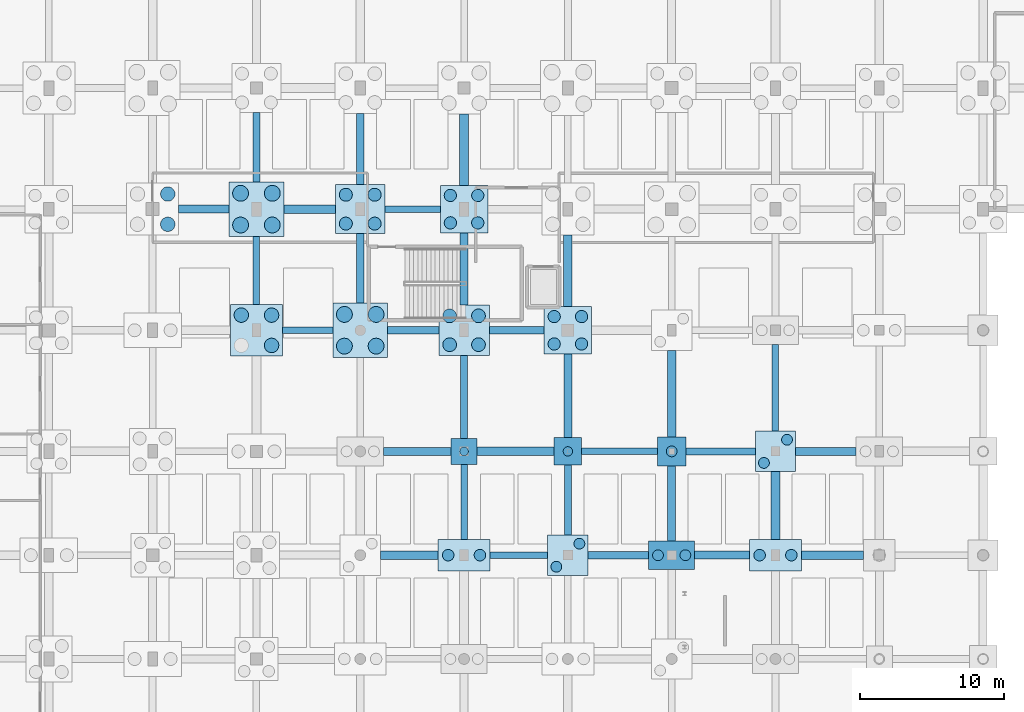
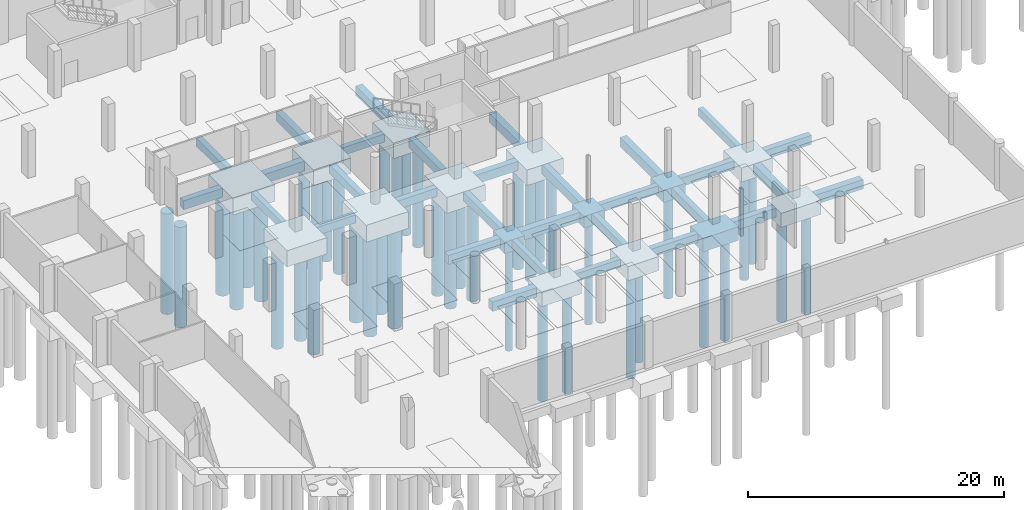
# One storey, part 7 of 35: 46 footings, 42 piles.
"""IFC4 building model written with IfcOpenShell, lengths in metres."""

from ifc_helpers import new_model, si_unit, direction, frame, origin, origin_2d, place, context, subcontext, project, spatial, rectangle, circle, extrude, material, material_profile, profile_set, type_object, element, save


model = new_model("IFC4")

# Units and contexts
model_context = context("Model", 3, precision=1e-05, world=origin(), true_north=direction((0.0, 1.0)))
body_context = subcontext(model_context, "Body", "Model", "MODEL_VIEW")
ifc_project = project(units=[si_unit("LENGTHUNIT", "METRE"), si_unit("AREAUNIT", "SQUARE_METRE"), si_unit("VOLUMEUNIT", "CUBIC_METRE"), si_unit("PLANEANGLEUNIT", "RADIAN"), si_unit("MASSUNIT", "GRAM", prefix="KILO")], contexts=[model_context])

# Site, building, storey
site_placement = place(None, origin())
site = spatial("IfcSite", under=ifc_project, at=site_placement, CompositionType="ELEMENT")
building_placement = place(site_placement, origin())
building = spatial("IfcBuilding", under=site, at=building_placement, Name="Kalluvel Institute of Natural Sciences", CompositionType="ELEMENT")
storey_placement = place(building_placement, frame((0.0, 0.0, -4.5)))
storey = spatial("IfcBuildingStorey", under=building, at=storey_placement, Name="B1", CompositionType="ELEMENT", Elevation=-4.5)

# Footings
ifc_material = material(Name="Concrete M40", Category="concrete")
footing_type_1 = type_object("IfcFootingType", Name="FB-450x750", PredefinedType="FOOTING_BEAM", material=ifc_material)
footing_1_placement = place(storey_placement, frame((53.800048828125, 78.800048828125, -1.199951171875), z_axis=(0.0, 0.0, 1.0), x_axis=(1.0, 0.0, 0.0)))
element("IfcFooting", 1, at=footing_1_placement, inside=storey, type_object=footing_type_1, Name="Foundation tie beam GB-X-084", PredefinedType="FOOTING_BEAM", context=body_context, shape_type="SweptSolid", body=[
    extrude(rectangle(XDim=4.0, YDim=0.449951171875, at=origin_2d()), origin(), (0.0, 0.0, 1.0), 0.75),
])
footing_2_placement = place(storey_placement, frame((60.77490234375, 86.0, -1.199951171875), z_axis=(0.0, 0.0, 1.0), x_axis=(1.0, 0.0, 0.0)))
element("IfcFooting", 2, at=footing_2_placement, inside=storey, type_object=footing_type_1, Name="Foundation tie beam GB-X-096", PredefinedType="FOOTING_BEAM", context=body_context, shape_type="SweptSolid", body=[
    extrude(rectangle(XDim=5.25, YDim=0.449951171875, at=origin_2d()), origin(), (0.0, 0.0, 1.0), 0.75),
])
footing_3_placement = place(storey_placement, frame((39.14990234375, 94.39990234375, -1.199951171875), z_axis=(0.0, 0.0, 1.0), x_axis=(1.0, 0.0, 0.0)))
element("IfcFooting", 3, at=footing_3_placement, inside=storey, type_object=footing_type_1, Name="Foundation tie beam GB-X-104", PredefinedType="FOOTING_BEAM", context=body_context, shape_type="SweptSolid", body=[
    extrude(rectangle(XDim=3.5, YDim=0.449951171875, at=origin_2d()), origin(), (0.0, 0.0, 1.0), 0.75),
])
footing_4_placement = place(storey_placement, frame((46.425048828125, 102.800048828125, -1.199951171875), z_axis=(0.0, 0.0, 1.0), x_axis=(1.0, 0.0, 0.0)))
element("IfcFooting", 4, at=footing_4_placement, inside=storey, type_object=footing_type_1, Name="Foundation tie beam GB-X-116", PredefinedType="FOOTING_BEAM", context=body_context, shape_type="SweptSolid", body=[
    extrude(rectangle(XDim=3.85009765625, YDim=0.449951171875, at=origin_2d()), origin(), (0.0, 0.0, 1.0), 0.75),
])
footing_5_placement = place(storey_placement, frame((35.60009765625, 98.550048828125, -1.199951171875), z_axis=(0.0, 0.0, 1.0), x_axis=(1.0, 0.0, 0.0)))
element("IfcFooting", 5, at=footing_5_placement, inside=storey, type_object=footing_type_1, Name="Foundation tie beam GB-Y-252", PredefinedType="FOOTING_BEAM", context=body_context, shape_type="SweptSolid", body=[
    extrude(rectangle(XDim=0.449951171875, YDim=4.699951171875, at=origin_2d()), origin(), (0.0, 0.0, 1.0), 0.75),
])
footing_6_placement = place(storey_placement, frame((50.0, 82.5, -1.199951171875), z_axis=(0.0, 0.0, 1.0), x_axis=(1.0, 0.0, 0.0)))
element("IfcFooting", 6, at=footing_6_placement, inside=storey, type_object=footing_type_1, Name="Foundation tie beam GB-Y-268", PredefinedType="FOOTING_BEAM", context=body_context, shape_type="SweptSolid", body=[
    extrude(rectangle(XDim=0.449951171875, YDim=5.199951171875, at=origin_2d()), origin(), (0.0, 0.0, 1.0), 0.75),
])
footing_7_placement = place(storey_placement, frame((71.60009765625, 90.39990234375, -1.199951171875), z_axis=(0.0, 0.0, 1.0), x_axis=(1.0, 0.0, 0.0)))
element("IfcFooting", 7, at=footing_7_placement, inside=storey, type_object=footing_type_1, Name="Foundation tie beam GB-Y-296", PredefinedType="FOOTING_BEAM", context=body_context, shape_type="SweptSolid", body=[
    extrude(rectangle(XDim=0.449951171875, YDim=6.0, at=origin_2d()), origin(), (0.0, 0.0, 1.0), 0.75),
])
footing_type_2 = type_object("IfcFootingType", Name="FB-500x800", PredefinedType="FOOTING_BEAM", material=ifc_material)
footing_8_placement = place(storey_placement, frame((60.699951171875, 78.800048828125, -1.25), z_axis=(0.0, 0.0, 1.0), x_axis=(1.0, 0.0, 0.0)))
element("IfcFooting", 8, at=footing_8_placement, inside=storey, type_object=footing_type_2, Name="Foundation tie beam GB-X-085", PredefinedType="FOOTING_BEAM", context=body_context, shape_type="SweptSolid", body=[
    extrude(rectangle(XDim=4.199951171875, YDim=0.5, at=origin_2d()), origin(), (0.0, 0.0, 1.0), 0.800048828125),
])
footing_9_placement = place(storey_placement, frame((67.800048828125, 86.0, -1.25), z_axis=(0.0, 0.0, 1.0), x_axis=(1.0, 0.0, 0.0)))
element("IfcFooting", 9, at=footing_9_placement, inside=storey, type_object=footing_type_2, Name="Foundation tie beam GB-X-097", PredefinedType="FOOTING_BEAM", context=body_context, shape_type="SweptSolid", body=[
    extrude(rectangle(XDim=4.800048828125, YDim=0.5, at=origin_2d()), origin(), (0.0, 0.0, 1.0), 0.800048828125),
])
footing_10_placement = place(storey_placement, frame((46.47509765625, 94.39990234375, -1.25), z_axis=(0.0, 0.0, 1.0), x_axis=(1.0, 0.0, 0.0)))
element("IfcFooting", 10, at=footing_10_placement, inside=storey, type_object=footing_type_2, Name="Foundation tie beam GB-X-105", PredefinedType="FOOTING_BEAM", context=body_context, shape_type="SweptSolid", body=[
    extrude(rectangle(XDim=3.550048828125, YDim=0.5, at=origin_2d()), origin(), (0.0, 0.0, 1.0), 0.800048828125),
])
for number, where, z_axis, x_axis, name in (
    (11, (35.60009765625, 107.10009765625, -1.25), (0.0, 0.0, 1.0), (1.0, 0.0, 0.0), "Foundation tie beam GB-Y-253"),
    (12, (42.800048828125, 98.699951171875, -1.25), (0.0, 0.0, 1.0), (1.0, 0.0, 0.0), "Foundation tie beam GB-Y-261"),
):
    element("IfcFooting", number, at=place(storey_placement, frame(where, z_axis=z_axis, x_axis=x_axis)), inside=storey, type_object=footing_type_2, Name=name, PredefinedType="FOOTING_BEAM", context=body_context, shape_type="SweptSolid", body=[
        extrude(rectangle(XDim=0.5, YDim=4.800048828125, at=origin_2d()), origin(), (0.0, 0.0, 1.0), 0.800048828125),
    ])
footing_11_placement = place(storey_placement, frame((50.0, 89.77490234375, -1.25), z_axis=(0.0, 0.0, 1.0), x_axis=(1.0, 0.0, 0.0)))
element("IfcFooting", 13, at=footing_11_placement, inside=storey, type_object=footing_type_2, Name="Foundation tie beam GB-Y-269", PredefinedType="FOOTING_BEAM", context=body_context, shape_type="SweptSolid", body=[
    extrude(rectangle(XDim=0.5, YDim=5.75, at=origin_2d()), origin(), (0.0, 0.0, 1.0), 0.800048828125),
])
footing_12_placement = place(storey_placement, frame((57.199951171875, 82.625, -1.25), z_axis=(0.0, 0.0, 1.0), x_axis=(1.0, 0.0, 0.0)))
element("IfcFooting", 14, at=footing_12_placement, inside=storey, type_object=footing_type_2, Name="Foundation tie beam GB-Y-277", PredefinedType="FOOTING_BEAM", context=body_context, shape_type="SweptSolid", body=[
    extrude(rectangle(XDim=0.5, YDim=4.85009765625, at=origin_2d()), origin(), (0.0, 0.0, 1.0), 0.800048828125),
])
footing_type_3 = type_object("IfcFootingType", Name="FB-550x850", PredefinedType="FOOTING_BEAM", material=ifc_material)
footing_13_placement = place(storey_placement, frame((67.89990234375, 78.800048828125, -1.300048828125), z_axis=(0.0, 0.0, 1.0), x_axis=(1.0, 0.0, 0.0)))
element("IfcFooting", 15, at=footing_13_placement, inside=storey, type_object=footing_type_3, Name="Foundation tie beam GB-X-086", PredefinedType="FOOTING_BEAM", context=body_context, shape_type="SweptSolid", body=[
    extrude(rectangle(XDim=3.800048828125, YDim=0.550048828125, at=origin_2d()), origin(), (0.0, 0.0, 1.0), 0.85009765625),
])
footing_14_placement = place(storey_placement, frame((46.75, 86.0, -1.300048828125), z_axis=(0.0, 0.0, 1.0), x_axis=(1.0, 0.0, 0.0)))
element("IfcFooting", 16, at=footing_14_placement, inside=storey, type_object=footing_type_3, Name="Foundation tie beam GB-X-094", PredefinedType="FOOTING_BEAM", context=body_context, shape_type="SweptSolid", body=[
    extrude(rectangle(XDim=4.699951171875, YDim=0.550048828125, at=origin_2d()), origin(), (0.0, 0.0, 1.0), 0.85009765625),
])
footing_15_placement = place(storey_placement, frame((75.10009765625, 86.0, -1.300048828125), z_axis=(0.0, 0.0, 1.0), x_axis=(1.0, 0.0, 0.0)))
element("IfcFooting", 17, at=footing_15_placement, inside=storey, type_object=footing_type_3, Name="Foundation tie beam GB-X-098", PredefinedType="FOOTING_BEAM", context=body_context, shape_type="SweptSolid", body=[
    extrude(rectangle(XDim=4.199951171875, YDim=0.550048828125, at=origin_2d()), origin(), (0.0, 0.0, 1.0), 0.85009765625),
])
footing_16_placement = place(storey_placement, frame((53.64990234375, 94.39990234375, -1.300048828125), z_axis=(0.0, 0.0, 1.0), x_axis=(1.0, 0.0, 0.0)))
element("IfcFooting", 18, at=footing_16_placement, inside=storey, type_object=footing_type_3, Name="Foundation tie beam GB-X-106", PredefinedType="FOOTING_BEAM", context=body_context, shape_type="SweptSolid", body=[
    extrude(rectangle(XDim=3.800048828125, YDim=0.550048828125, at=origin_2d()), origin(), (0.0, 0.0, 1.0), 0.85009765625),
])
footing_17_placement = place(storey_placement, frame((31.949951171875, 102.800048828125, -1.300048828125), z_axis=(0.0, 0.0, 1.0), x_axis=(1.0, 0.0, 0.0)))
element("IfcFooting", 19, at=footing_17_placement, inside=storey, type_object=footing_type_3, Name="Foundation tie beam GB-X-114", PredefinedType="FOOTING_BEAM", context=body_context, shape_type="SweptSolid", body=[
    extrude(rectangle(XDim=3.5, YDim=0.550048828125, at=origin_2d()), origin(), (0.0, 0.0, 1.0), 0.85009765625),
])
footing_18_placement = place(storey_placement, frame((42.800048828125, 106.97509765625, -1.300048828125), z_axis=(0.0, 0.0, 1.0), x_axis=(1.0, 0.0, 0.0)))
element("IfcFooting", 20, at=footing_18_placement, inside=storey, type_object=footing_type_3, Name="Foundation tie beam GB-Y-262", PredefinedType="FOOTING_BEAM", context=body_context, shape_type="SweptSolid", body=[
    extrude(rectangle(XDim=0.550048828125, YDim=4.949951171875, at=origin_2d()), origin(), (0.0, 0.0, 1.0), 0.85009765625),
])
footing_19_placement = place(storey_placement, frame((50.0, 98.64990234375, -1.300048828125), z_axis=(0.0, 0.0, 1.0), x_axis=(1.0, 0.0, 0.0)))
element("IfcFooting", 21, at=footing_19_placement, inside=storey, type_object=footing_type_3, Name="Foundation tie beam GB-Y-270", PredefinedType="FOOTING_BEAM", context=body_context, shape_type="SweptSolid", body=[
    extrude(rectangle(XDim=0.550048828125, YDim=5.0, at=origin_2d()), origin(), (0.0, 0.0, 1.0), 0.85009765625),
])
footing_20_placement = place(storey_placement, frame((57.199951171875, 89.85009765625, -1.300048828125), z_axis=(0.0, 0.0, 1.0), x_axis=(1.0, 0.0, 0.0)))
element("IfcFooting", 22, at=footing_20_placement, inside=storey, type_object=footing_type_3, Name="Foundation tie beam GB-Y-278", PredefinedType="FOOTING_BEAM", context=body_context, shape_type="SweptSolid", body=[
    extrude(rectangle(XDim=0.550048828125, YDim=5.800048828125, at=origin_2d()), origin(), (0.0, 0.0, 1.0), 0.85009765625),
])
footing_21_placement = place(storey_placement, frame((64.39990234375, 82.39990234375, -1.300048828125), z_axis=(0.0, 0.0, 1.0), x_axis=(1.0, 0.0, 0.0)))
element("IfcFooting", 23, at=footing_21_placement, inside=storey, type_object=footing_type_3, Name="Foundation tie beam GB-Y-286", PredefinedType="FOOTING_BEAM", context=body_context, shape_type="SweptSolid", body=[
    extrude(rectangle(XDim=0.550048828125, YDim=5.199951171875, at=origin_2d()), origin(), (0.0, 0.0, 1.0), 0.85009765625),
])
footing_type_4 = type_object("IfcFootingType", Name="FB-600x900", PredefinedType="FOOTING_BEAM", material=ifc_material)
footing_22_placement = place(storey_placement, frame((46.199951171875, 78.800048828125, -1.349853515625), z_axis=(0.0, 0.0, 1.0), x_axis=(1.0, 0.0, 0.0)))
element("IfcFooting", 24, at=footing_22_placement, inside=storey, type_object=footing_type_4, Name="Foundation tie beam GB-X-083", PredefinedType="FOOTING_BEAM", context=body_context, shape_type="SweptSolid", body=[
    extrude(rectangle(XDim=4.0, YDim=0.60009765625, at=origin_2d()), origin(), (0.0, 0.0, 1.0), 0.89990234375),
])
footing_23_placement = place(storey_placement, frame((75.550048828125, 78.800048828125, -1.349853515625), z_axis=(0.0, 0.0, 1.0), x_axis=(1.0, 0.0, 0.0)))
element("IfcFooting", 25, at=footing_23_placement, inside=storey, type_object=footing_type_4, Name="Foundation tie beam GB-X-087", PredefinedType="FOOTING_BEAM", context=body_context, shape_type="SweptSolid", body=[
    extrude(rectangle(XDim=4.300048828125, YDim=0.60009765625, at=origin_2d()), origin(), (0.0, 0.0, 1.0), 0.89990234375),
])
footing_24_placement = place(storey_placement, frame((53.574951171875, 86.0, -1.349853515625), z_axis=(0.0, 0.0, 1.0), x_axis=(1.0, 0.0, 0.0)))
element("IfcFooting", 26, at=footing_24_placement, inside=storey, type_object=footing_type_4, Name="Foundation tie beam GB-X-095", PredefinedType="FOOTING_BEAM", context=body_context, shape_type="SweptSolid", body=[
    extrude(rectangle(XDim=5.35009765625, YDim=0.60009765625, at=origin_2d()), origin(), (0.0, 0.0, 1.0), 0.89990234375),
])
footing_25_placement = place(storey_placement, frame((39.300048828125, 102.800048828125, -1.349853515625), z_axis=(0.0, 0.0, 1.0), x_axis=(1.0, 0.0, 0.0)))
element("IfcFooting", 27, at=footing_25_placement, inside=storey, type_object=footing_type_4, Name="Foundation tie beam GB-X-115", PredefinedType="FOOTING_BEAM", context=body_context, shape_type="SweptSolid", body=[
    extrude(rectangle(XDim=3.60009765625, YDim=0.60009765625, at=origin_2d()), origin(), (0.0, 0.0, 1.0), 0.89990234375),
])
for number, where, z_axis, x_axis, name in (
    (28, (50.0, 106.925048828125, -1.349853515625), (0.0, 0.0, 1.0), (1.0, 0.0, 0.0), "Foundation tie beam GB-Y-271"),
    (29, (57.199951171875, 98.52490234375, -1.349853515625), (0.0, 0.0, 1.0), (1.0, 0.0, 0.0), "Foundation tie beam GB-Y-279"),
):
    element("IfcFooting", number, at=place(storey_placement, frame(where, z_axis=z_axis, x_axis=x_axis)), inside=storey, type_object=footing_type_4, Name=name, PredefinedType="FOOTING_BEAM", context=body_context, shape_type="SweptSolid", body=[
        extrude(rectangle(XDim=0.60009765625, YDim=4.949951171875, at=origin_2d()), origin(), (0.0, 0.0, 1.0), 0.89990234375),
    ])
footing_26_placement = place(storey_placement, frame((64.39990234375, 90.0, -1.349853515625), z_axis=(0.0, 0.0, 1.0), x_axis=(1.0, 0.0, 0.0)))
element("IfcFooting", 30, at=footing_26_placement, inside=storey, type_object=footing_type_4, Name="Foundation tie beam GB-Y-287", PredefinedType="FOOTING_BEAM", context=body_context, shape_type="SweptSolid", body=[
    extrude(rectangle(XDim=0.60009765625, YDim=6.0, at=origin_2d()), origin(), (0.0, 0.0, 1.0), 0.89990234375),
])
footing_27_placement = place(storey_placement, frame((71.60009765625, 82.25, -1.349853515625), z_axis=(0.0, 0.0, 1.0), x_axis=(1.0, 0.0, 0.0)))
element("IfcFooting", 31, at=footing_27_placement, inside=storey, type_object=footing_type_4, Name="Foundation tie beam GB-Y-295", PredefinedType="FOOTING_BEAM", context=body_context, shape_type="SweptSolid", body=[
    extrude(rectangle(XDim=0.60009765625, YDim=4.699951171875, at=origin_2d()), origin(), (0.0, 0.0, 1.0), 0.89990234375),
])
footing_type_5 = type_object("IfcFootingType", Name="PC-1800x1800x1100", PredefinedType="PILE_CAP", material=ifc_material)
footing_28_placement = place(storey_placement, frame((50.0, 86.0, -1.550048828125), z_axis=(0.0, 0.0, 1.0), x_axis=(1.0, 0.0, 0.0)))
element("IfcFooting", 32, at=footing_28_placement, inside=storey, type_object=footing_type_5, Name="Pile cap CAP-081", PredefinedType="PILE_CAP", context=body_context, shape_type="SweptSolid", body=[
    extrude(rectangle(XDim=1.800048828125, YDim=1.800048828125, at=origin_2d()), origin(), (0.0, 0.0, 1.0), 1.10009765625),
])
footing_type_6 = type_object("IfcFootingType", Name="PC-1900x1900x1120", PredefinedType="PILE_CAP", material=ifc_material)
footing_29_placement = place(storey_placement, frame((57.199951171875, 86.0, -1.570068359375), z_axis=(0.0, 0.0, 1.0), x_axis=(1.0, 0.0, 0.0)))
element("IfcFooting", 33, at=footing_29_placement, inside=storey, type_object=footing_type_6, Name="Pile cap CAP-092", PredefinedType="PILE_CAP", context=body_context, shape_type="SweptSolid", body=[
    extrude(rectangle(XDim=1.89990234375, YDim=1.89990234375, at=origin_2d()), origin(), (0.0, 0.0, 1.0), 1.1201171875),
])
footing_type_7 = type_object("IfcFootingType", Name="PC-2000x2000x1150", PredefinedType="PILE_CAP", material=ifc_material)
footing_30_placement = place(storey_placement, frame((64.39990234375, 86.0, -1.599853515625), z_axis=(0.0, 0.0, 1.0), x_axis=(1.0, 0.0, 0.0)))
element("IfcFooting", 34, at=footing_30_placement, inside=storey, type_object=footing_type_7, Name="Pile cap CAP-103", PredefinedType="PILE_CAP", context=body_context, shape_type="SweptSolid", body=[
    extrude(rectangle(XDim=2.0, YDim=2.0, at=origin_2d()), origin(), (0.0, 0.0, 1.0), 1.14990234375),
])
footing_type_8 = type_object("IfcFootingType", Name="PC-2800x2800x1350", PredefinedType="PILE_CAP", material=ifc_material)
for number, where, z_axis, x_axis, name in (
    (35, (57.199951171875, 78.800048828125, -1.800048828125), (0.0, 0.0, 1.0), (1.0, 0.0, 0.0), "Pile cap CAP-091"),
    (36, (71.60009765625, 86.0, -1.800048828125), (0.0, 0.0, 1.0), (1.0, 0.0, 0.0), "Pile cap CAP-114"),
):
    element("IfcFooting", number, at=place(storey_placement, frame(where, z_axis=z_axis, x_axis=x_axis)), inside=storey, type_object=footing_type_8, Name=name, PredefinedType="PILE_CAP", context=body_context, shape_type="SweptSolid", body=[
        extrude(rectangle(XDim=2.800048828125, YDim=2.800048828125, at=origin_2d()), origin(), (0.0, 0.0, 1.0), 1.35009765625),
    ])
footing_type_9 = type_object("IfcFootingType", Name="PC-3200x2000x1300", PredefinedType="PILE_CAP", material=ifc_material)
footing_31_placement = place(storey_placement, frame((64.39990234375, 78.800048828125, -1.75), z_axis=(0.0, 0.0, 1.0), x_axis=(1.0, 0.0, 0.0)))
element("IfcFooting", 37, at=footing_31_placement, inside=storey, type_object=footing_type_9, Name="Pile cap CAP-102", PredefinedType="PILE_CAP", context=body_context, shape_type="SweptSolid", body=[
    extrude(rectangle(XDim=3.199951171875, YDim=2.0, at=origin_2d()), origin(), (0.0, 0.0, 1.0), 1.300048828125),
])
footing_type_10 = type_object("IfcFootingType", Name="PC-3300x3300x1480", PredefinedType="PILE_CAP", material=ifc_material)
for number, where, z_axis, x_axis, name in (
    (38, (50.0, 102.800048828125, -1.929931640625), (0.0, 0.0, 1.0), (1.0, 0.0, 0.0), "Pile cap CAP-083"),
    (39, (57.199951171875, 94.39990234375, -1.929931640625), (0.0, 0.0, 1.0), (1.0, 0.0, 0.0), "Pile cap CAP-093"),
):
    element("IfcFooting", number, at=place(storey_placement, frame(where, z_axis=z_axis, x_axis=x_axis)), inside=storey, type_object=footing_type_10, Name=name, PredefinedType="PILE_CAP", context=body_context, shape_type="SweptSolid", body=[
        extrude(rectangle(XDim=3.300048828125, YDim=3.300048828125, at=origin_2d()), origin(), (0.0, 0.0, 1.0), 1.47998046875),
    ])
footing_type_11 = type_object("IfcFootingType", Name="PC-3400x3400x1500", PredefinedType="PILE_CAP", material=ifc_material)
footing_32_placement = place(storey_placement, frame((42.800048828125, 102.800048828125, -1.949951171875), z_axis=(0.0, 0.0, 1.0), x_axis=(1.0, 0.0, 0.0)))
element("IfcFooting", 40, at=footing_32_placement, inside=storey, type_object=footing_type_11, Name="Pile cap CAP-072", PredefinedType="PILE_CAP", context=body_context, shape_type="SweptSolid", body=[
    extrude(rectangle(XDim=3.39990234375, YDim=3.39990234375, at=origin_2d()), origin(), (0.0, 0.0, 1.0), 1.5),
])
footing_type_12 = type_object("IfcFootingType", Name="PC-3500x3500x1520", PredefinedType="PILE_CAP", material=ifc_material)
footing_33_placement = place(storey_placement, frame((50.0, 94.39990234375, -1.969970703125), z_axis=(0.0, 0.0, 1.0), x_axis=(1.0, 0.0, 0.0)))
element("IfcFooting", 41, at=footing_33_placement, inside=storey, type_object=footing_type_12, Name="Pile cap CAP-082", PredefinedType="PILE_CAP", context=body_context, shape_type="SweptSolid", body=[
    extrude(rectangle(XDim=3.5, YDim=3.5, at=origin_2d()), origin(), (0.0, 0.0, 1.0), 1.52001953125),
])
footing_type_13 = type_object("IfcFootingType", Name="PC-3600x2200x1350", PredefinedType="PILE_CAP", material=ifc_material)
for number, where, z_axis, x_axis, name in (
    (42, (50.0, 78.800048828125, -1.800048828125), (0.0, 0.0, 1.0), (1.0, 0.0, 0.0), "Pile cap CAP-080"),
    (43, (71.60009765625, 78.800048828125, -1.800048828125), (0.0, 0.0, 1.0), (1.0, 0.0, 0.0), "Pile cap CAP-113"),
):
    element("IfcFooting", number, at=place(storey_placement, frame(where, z_axis=z_axis, x_axis=x_axis)), inside=storey, type_object=footing_type_13, Name=name, PredefinedType="PILE_CAP", context=body_context, shape_type="SweptSolid", body=[
        extrude(rectangle(XDim=3.60009765625, YDim=2.199951171875, at=origin_2d()), origin(), (0.0, 0.0, 1.0), 1.35009765625),
    ])
footing_type_14 = type_object("IfcFootingType", Name="PC-3600x3600x1550", PredefinedType="PILE_CAP", material=ifc_material)
footing_34_placement = place(storey_placement, frame((35.60009765625, 94.39990234375, -2.0), z_axis=(0.0, 0.0, 1.0), x_axis=(1.0, 0.0, 0.0)))
element("IfcFooting", 44, at=footing_34_placement, inside=storey, type_object=footing_type_14, Name="Pile cap CAP-060", PredefinedType="PILE_CAP", context=body_context, shape_type="SweptSolid", body=[
    extrude(rectangle(XDim=3.60009765625, YDim=3.60009765625, at=origin_2d()), origin(), (0.0, 0.0, 1.0), 1.550048828125),
])
footing_type_15 = type_object("IfcFootingType", Name="PC-3800x3800x1600", PredefinedType="PILE_CAP", material=ifc_material)
for number, where, z_axis, x_axis, name in (
    (45, (35.60009765625, 102.800048828125, -2.050048828125), (0.0, 0.0, 1.0), (1.0, 0.0, 0.0), "Pile cap CAP-061"),
    (46, (42.800048828125, 94.39990234375, -2.050048828125), (0.0, 0.0, 1.0), (1.0, 0.0, 0.0), "Pile cap CAP-071"),
):
    element("IfcFooting", number, at=place(storey_placement, frame(where, z_axis=z_axis, x_axis=x_axis)), inside=storey, type_object=footing_type_15, Name=name, PredefinedType="PILE_CAP", context=body_context, shape_type="SweptSolid", body=[
        extrude(rectangle(XDim=3.800048828125, YDim=3.800048828125, at=origin_2d()), origin(), (0.0, 0.0, 1.0), 1.60009765625),
    ])

# Piles
ifc_material_profile_1 = material_profile(ifc_material, circle(Radius=0.5, at=origin_2d()), Name="PILE D1000")
ifc_profile_set_1 = profile_set([ifc_material_profile_1], Name="Concrete M40")
pile_type_1 = type_object("IfcPileType", Name="PILE-D1000", PredefinedType="BORED", material=ifc_profile_set_1)
for number, where, z_axis, x_axis, name in (
    (47, (29.449951171875, 101.75, -1.8798828125), (0.0, 0.0, -1.0), (1.0, 0.0, 0.0), "Bored rock-socketed pile PILE-X2945-Y10175"),
    (48, (29.449951171875, 103.85009765625, -1.8798828125), (0.0, 0.0, -1.0), (1.0, 0.0, 0.0), "Bored rock-socketed pile PILE-X2945-Y10385"),
    (49, (36.64990234375, 93.35009765625, -1.8798828125), (0.0, 0.0, -1.0), (1.0, 0.0, 0.0), "Bored rock-socketed pile PILE-X3665-Y9335"),
    (50, (34.550048828125, 95.449951171875, -1.8798828125), (0.0, 0.0, -1.0), (1.0, 0.0, 0.0), "Bored rock-socketed pile PILE-X3455-Y9545"),
    (51, (36.64990234375, 95.449951171875, -1.8798828125), (0.0, 0.0, -1.0), (1.0, 0.0, 0.0), "Bored rock-socketed pile PILE-X3665-Y9545"),
):
    element("IfcPile", number, at=place(storey_placement, frame(where, z_axis=z_axis, x_axis=x_axis)), inside=storey, type_object=pile_type_1, Name=name, PredefinedType="BORED", context=body_context, shape_type="SweptSolid", body=[
        extrude(circle(Radius=0.5, at=origin_2d()), origin(), (0.0, 0.0, 1.0), 9.6201171875),
    ])
ifc_material_profile_2 = material_profile(ifc_material, circle(Radius=0.550048828125, at=origin_2d()), Name="PILE D1100")
ifc_profile_set_2 = profile_set([ifc_material_profile_2], Name="Concrete M40")
pile_type_2 = type_object("IfcPileType", Name="PILE-D1100", PredefinedType="BORED", material=ifc_profile_set_2)
for number, where, z_axis, x_axis, name in (
    (52, (34.5, 101.699951171875, -1.929931640625), (0.0, 0.0, -1.0), (1.0, 0.0, 0.0), "Bored rock-socketed pile PILE-X3450-Y10170"),
    (53, (36.699951171875, 101.699951171875, -1.929931640625), (0.0, 0.0, -1.0), (1.0, 0.0, 0.0), "Bored rock-socketed pile PILE-X3670-Y10170"),
    (54, (34.5, 103.89990234375, -1.929931640625), (0.0, 0.0, -1.0), (1.0, 0.0, 0.0), "Bored rock-socketed pile PILE-X3450-Y10390"),
    (55, (36.699951171875, 103.89990234375, -1.929931640625), (0.0, 0.0, -1.0), (1.0, 0.0, 0.0), "Bored rock-socketed pile PILE-X3670-Y10390"),
    (56, (41.699951171875, 93.300048828125, -1.929931640625), (0.0, 0.0, -1.0), (1.0, 0.0, 0.0), "Bored rock-socketed pile PILE-X4170-Y9330"),
    (57, (43.89990234375, 93.300048828125, -1.929931640625), (0.0, 0.0, -1.0), (1.0, 0.0, 0.0), "Bored rock-socketed pile PILE-X4390-Y9330"),
    (58, (41.699951171875, 95.5, -1.929931640625), (0.0, 0.0, -1.0), (1.0, 0.0, 0.0), "Bored rock-socketed pile PILE-X4170-Y9550"),
    (59, (43.89990234375, 95.5, -1.929931640625), (0.0, 0.0, -1.0), (1.0, 0.0, 0.0), "Bored rock-socketed pile PILE-X4390-Y9550"),
):
    element("IfcPile", number, at=place(storey_placement, frame(where, z_axis=z_axis, x_axis=x_axis)), inside=storey, type_object=pile_type_2, Name=name, PredefinedType="BORED", context=body_context, shape_type="SweptSolid", body=[
        extrude(circle(Radius=0.550048828125, at=origin_2d()), origin(), (0.0, 0.0, 1.0), 9.570068359375),
    ])
ifc_material_profile_3 = material_profile(ifc_material, circle(Radius=0.300048828125, at=origin_2d()), Name="PILE D600")
ifc_profile_set_3 = profile_set([ifc_material_profile_3], Name="Concrete M40")
pile_type_3 = type_object("IfcPileType", Name="PILE-D600", PredefinedType="BORED", material=ifc_profile_set_3)
pile_1_placement = place(storey_placement, frame((50.0, 86.0, -1.429931640625), z_axis=(0.0, 0.0, -1.0), x_axis=(1.0, 0.0, 0.0)))
element("IfcPile", 60, at=pile_1_placement, inside=storey, type_object=pile_type_3, Name="Bored rock-socketed pile PILE-X5000-Y8600", PredefinedType="BORED", context=body_context, shape_type="SweptSolid", body=[
    extrude(circle(Radius=0.300048828125, at=origin_2d()), origin(), (0.0, 0.0, 1.0), 10.070068359375),
])
ifc_material_profile_4 = material_profile(ifc_material, circle(Radius=0.324951171875, at=origin_2d()), Name="PILE D650")
ifc_profile_set_4 = profile_set([ifc_material_profile_4], Name="Concrete M40")
pile_type_4 = type_object("IfcPileType", Name="PILE-D650", PredefinedType="BORED", material=ifc_profile_set_4)
pile_2_placement = place(storey_placement, frame((57.199951171875, 86.0, -1.449951171875), z_axis=(0.0, 0.0, -1.0), x_axis=(1.0, 0.0, 0.0)))
element("IfcPile", 61, at=pile_2_placement, inside=storey, type_object=pile_type_4, Name="Bored rock-socketed pile PILE-X5720-Y8600", PredefinedType="BORED", context=body_context, shape_type="SweptSolid", body=[
    extrude(circle(Radius=0.324951171875, at=origin_2d()), origin(), (0.0, 0.0, 1.0), 10.050048828125),
])
ifc_material_profile_5 = material_profile(ifc_material, circle(Radius=0.375, at=origin_2d()), Name="PILE D750")
ifc_profile_set_5 = profile_set([ifc_material_profile_5], Name="Concrete M40")
pile_type_5 = type_object("IfcPileType", Name="PILE-D750", PredefinedType="BORED", material=ifc_profile_set_5)
for number, where, z_axis, x_axis, name in (
    (62, (56.39990234375, 78.0, -1.679931640625), (0.0, 0.0, -1.0), (1.0, 0.0, 0.0), "Bored rock-socketed pile PILE-X5640-Y7800"),
    (63, (58.0, 79.60009765625, -1.679931640625), (0.0, 0.0, -1.0), (1.0, 0.0, 0.0), "Bored rock-socketed pile PILE-X5800-Y7960"),
):
    element("IfcPile", number, at=place(storey_placement, frame(where, z_axis=z_axis, x_axis=x_axis)), inside=storey, type_object=pile_type_5, Name=name, PredefinedType="BORED", context=body_context, shape_type="SweptSolid", body=[
        extrude(circle(Radius=0.375, at=origin_2d()), origin(), (0.0, 0.0, 1.0), 9.820068359375),
    ])
for number, where, z_axis, x_axis, name in (
    (64, (63.449951171875, 78.800048828125, -1.6298828125), (0.0, 0.0, -1.0), (1.0, 0.0, 0.0), "Bored rock-socketed pile PILE-X6345-Y7880"),
    (65, (65.35009765625, 78.800048828125, -1.6298828125), (0.0, 0.0, -1.0), (1.0, 0.0, 0.0), "Bored rock-socketed pile PILE-X6535-Y7880"),
):
    element("IfcPile", number, at=place(storey_placement, frame(where, z_axis=z_axis, x_axis=x_axis)), inside=storey, type_object=pile_type_5, Name=name, PredefinedType="BORED", context=body_context, shape_type="SweptSolid", body=[
        extrude(circle(Radius=0.375, at=origin_2d()), origin(), (0.0, 0.0, 1.0), 9.8701171875),
    ])
pile_3_placement = place(storey_placement, frame((64.39990234375, 86.0, -1.47998046875), z_axis=(0.0, 0.0, -1.0), x_axis=(1.0, 0.0, 0.0)))
element("IfcPile", 66, at=pile_3_placement, inside=storey, type_object=pile_type_5, Name="Bored rock-socketed pile PILE-X6440-Y8600", PredefinedType="BORED", context=body_context, shape_type="SweptSolid", body=[
    extrude(circle(Radius=0.375, at=origin_2d()), origin(), (0.0, 0.0, 1.0), 10.02001953125),
])
for number, where, z_axis, x_axis, name in (
    (67, (70.800048828125, 85.199951171875, -1.679931640625), (0.0, 0.0, -1.0), (1.0, 0.0, 0.0), "Bored rock-socketed pile PILE-X7080-Y8520"),
    (68, (72.39990234375, 86.800048828125, -1.679931640625), (0.0, 0.0, -1.0), (1.0, 0.0, 0.0), "Bored rock-socketed pile PILE-X7240-Y8680"),
):
    element("IfcPile", number, at=place(storey_placement, frame(where, z_axis=z_axis, x_axis=x_axis)), inside=storey, type_object=pile_type_5, Name=name, PredefinedType="BORED", context=body_context, shape_type="SweptSolid", body=[
        extrude(circle(Radius=0.375, at=origin_2d()), origin(), (0.0, 0.0, 1.0), 9.820068359375),
    ])
ifc_material_profile_6 = material_profile(ifc_material, circle(Radius=0.39990234375, at=origin_2d()), Name="PILE D800")
ifc_profile_set_6 = profile_set([ifc_material_profile_6], Name="Concrete M40")
pile_type_6 = type_object("IfcPileType", Name="PILE-D800", PredefinedType="BORED", material=ifc_profile_set_6)
for number, where, z_axis, x_axis, name in (
    (69, (48.89990234375, 78.800048828125, -1.679931640625), (0.0, 0.0, -1.0), (1.0, 0.0, 0.0), "Bored rock-socketed pile PILE-X4890-Y7880"),
    (70, (51.10009765625, 78.800048828125, -1.679931640625), (0.0, 0.0, -1.0), (1.0, 0.0, 0.0), "Bored rock-socketed pile PILE-X5110-Y7880"),
    (71, (70.5, 78.800048828125, -1.679931640625), (0.0, 0.0, -1.0), (1.0, 0.0, 0.0), "Bored rock-socketed pile PILE-X7050-Y7880"),
    (72, (72.699951171875, 78.800048828125, -1.679931640625), (0.0, 0.0, -1.0), (1.0, 0.0, 0.0), "Bored rock-socketed pile PILE-X7270-Y7880"),
):
    element("IfcPile", number, at=place(storey_placement, frame(where, z_axis=z_axis, x_axis=x_axis)), inside=storey, type_object=pile_type_6, Name=name, PredefinedType="BORED", context=body_context, shape_type="SweptSolid", body=[
        extrude(circle(Radius=0.39990234375, at=origin_2d()), origin(), (0.0, 0.0, 1.0), 9.820068359375),
    ])
ifc_material_profile_7 = material_profile(ifc_material, circle(Radius=0.425048828125, at=origin_2d()), Name="PILE D850")
ifc_profile_set_7 = profile_set([ifc_material_profile_7], Name="Concrete M40")
pile_type_7 = type_object("IfcPileType", Name="PILE-D850", PredefinedType="BORED", material=ifc_profile_set_7)
for number, where, z_axis, x_axis, name in (
    (73, (49.050048828125, 101.85009765625, -1.81005859375), (0.0, 0.0, -1.0), (1.0, 0.0, 0.0), "Bored rock-socketed pile PILE-X4905-Y10185"),
    (74, (50.949951171875, 101.85009765625, -1.81005859375), (0.0, 0.0, -1.0), (1.0, 0.0, 0.0), "Bored rock-socketed pile PILE-X5095-Y10185"),
    (75, (49.050048828125, 103.75, -1.81005859375), (0.0, 0.0, -1.0), (1.0, 0.0, 0.0), "Bored rock-socketed pile PILE-X4905-Y10375"),
    (76, (50.949951171875, 103.75, -1.81005859375), (0.0, 0.0, -1.0), (1.0, 0.0, 0.0), "Bored rock-socketed pile PILE-X5095-Y10375"),
    (77, (56.25, 93.449951171875, -1.81005859375), (0.0, 0.0, -1.0), (1.0, 0.0, 0.0), "Bored rock-socketed pile PILE-X5625-Y9345"),
    (78, (58.14990234375, 93.449951171875, -1.81005859375), (0.0, 0.0, -1.0), (1.0, 0.0, 0.0), "Bored rock-socketed pile PILE-X5815-Y9345"),
    (79, (56.25, 95.35009765625, -1.81005859375), (0.0, 0.0, -1.0), (1.0, 0.0, 0.0), "Bored rock-socketed pile PILE-X5625-Y9535"),
    (80, (58.14990234375, 95.35009765625, -1.81005859375), (0.0, 0.0, -1.0), (1.0, 0.0, 0.0), "Bored rock-socketed pile PILE-X5815-Y9535"),
):
    element("IfcPile", number, at=place(storey_placement, frame(where, z_axis=z_axis, x_axis=x_axis)), inside=storey, type_object=pile_type_7, Name=name, PredefinedType="BORED", context=body_context, shape_type="SweptSolid", body=[
        extrude(circle(Radius=0.425048828125, at=origin_2d()), origin(), (0.0, 0.0, 1.0), 9.68994140625),
    ])
ifc_material_profile_8 = material_profile(ifc_material, circle(Radius=0.449951171875, at=origin_2d()), Name="PILE D900")
ifc_profile_set_8 = profile_set([ifc_material_profile_8], Name="Concrete M40")
pile_type_8 = type_object("IfcPileType", Name="PILE-D900", PredefinedType="BORED", material=ifc_profile_set_8)
for number, where, z_axis, x_axis, name in (
    (81, (41.800048828125, 101.800048828125, -1.830078125), (0.0, 0.0, -1.0), (1.0, 0.0, 0.0), "Bored rock-socketed pile PILE-X4180-Y10180"),
    (82, (43.800048828125, 101.800048828125, -1.830078125), (0.0, 0.0, -1.0), (1.0, 0.0, 0.0), "Bored rock-socketed pile PILE-X4380-Y10180"),
    (83, (41.800048828125, 103.800048828125, -1.830078125), (0.0, 0.0, -1.0), (1.0, 0.0, 0.0), "Bored rock-socketed pile PILE-X4180-Y10380"),
    (84, (43.800048828125, 103.800048828125, -1.830078125), (0.0, 0.0, -1.0), (1.0, 0.0, 0.0), "Bored rock-socketed pile PILE-X4380-Y10380"),
):
    element("IfcPile", number, at=place(storey_placement, frame(where, z_axis=z_axis, x_axis=x_axis)), inside=storey, type_object=pile_type_8, Name=name, PredefinedType="BORED", context=body_context, shape_type="SweptSolid", body=[
        extrude(circle(Radius=0.449951171875, at=origin_2d()), origin(), (0.0, 0.0, 1.0), 9.669921875),
    ])
ifc_material_profile_9 = material_profile(ifc_material, circle(Radius=0.47509765625, at=origin_2d()), Name="PILE D950")
ifc_profile_set_9 = profile_set([ifc_material_profile_9], Name="Concrete M40")
pile_type_9 = type_object("IfcPileType", Name="PILE-D950", PredefinedType="BORED", material=ifc_profile_set_9)
for number, where, z_axis, x_axis, name in (
    (85, (49.0, 93.39990234375, -1.85009765625), (0.0, 0.0, -1.0), (1.0, 0.0, 0.0), "Bored rock-socketed pile PILE-X4900-Y9340"),
    (86, (51.0, 93.39990234375, -1.85009765625), (0.0, 0.0, -1.0), (1.0, 0.0, 0.0), "Bored rock-socketed pile PILE-X5100-Y9340"),
    (87, (49.0, 95.39990234375, -1.85009765625), (0.0, 0.0, -1.0), (1.0, 0.0, 0.0), "Bored rock-socketed pile PILE-X4900-Y9540"),
    (88, (51.0, 95.39990234375, -1.85009765625), (0.0, 0.0, -1.0), (1.0, 0.0, 0.0), "Bored rock-socketed pile PILE-X5100-Y9540"),
):
    element("IfcPile", number, at=place(storey_placement, frame(where, z_axis=z_axis, x_axis=x_axis)), inside=storey, type_object=pile_type_9, Name=name, PredefinedType="BORED", context=body_context, shape_type="SweptSolid", body=[
        extrude(circle(Radius=0.47509765625, at=origin_2d()), origin(), (0.0, 0.0, 1.0), 9.64990234375),
    ])

save(model, "model.ifc")
